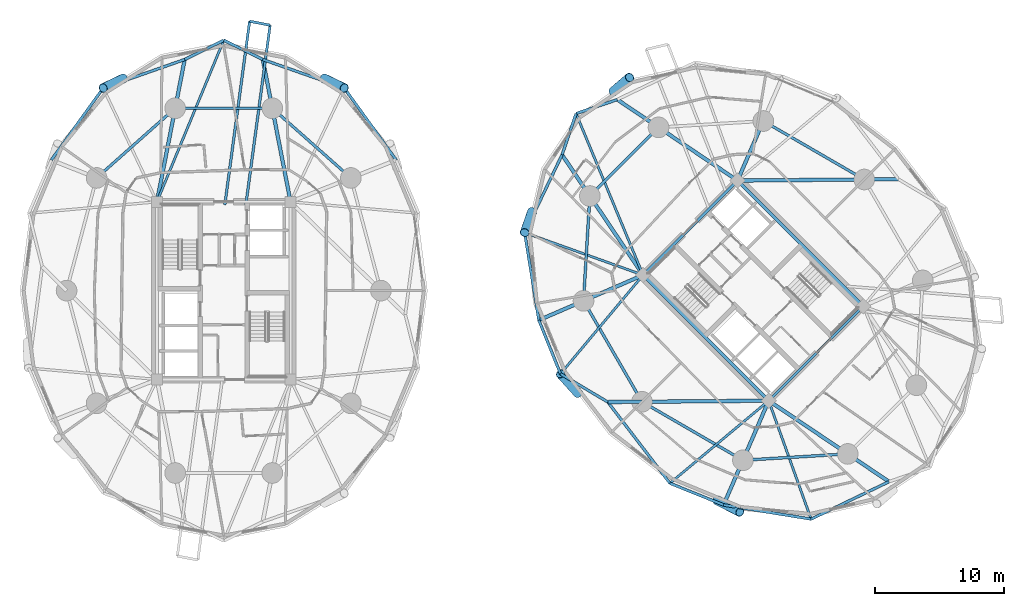
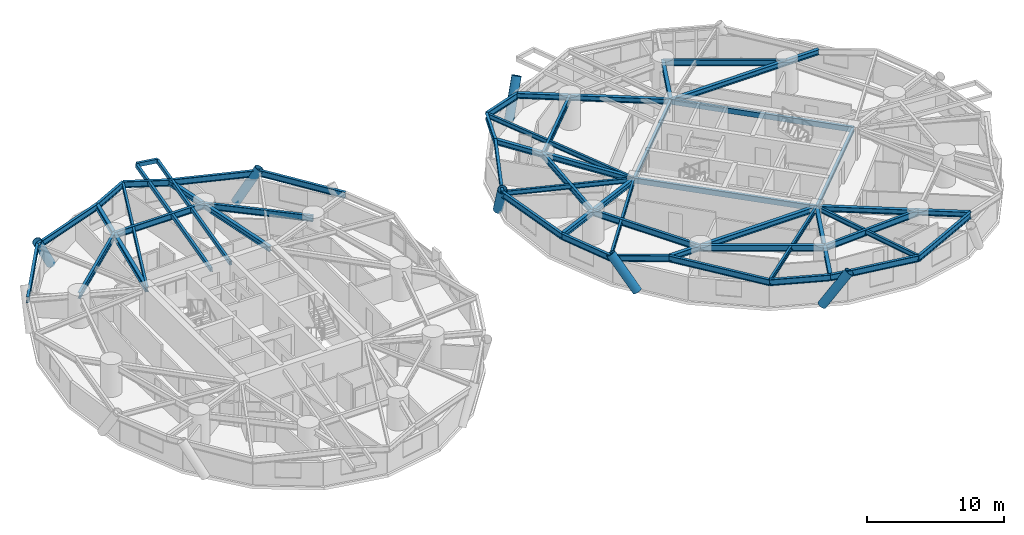
# One storey, part 5 of 18: 49 beams, 6 members.
"""IFC4 building model written with IfcOpenShell, lengths in metres."""

import ifcopenshell
import ifcopenshell.guid

model = None  # the IFC model being written
_history = None  # IfcOwnerHistory: only IFC2X3 demands one
_inside = {}  # id of a spatial element -> (the spatial element, [elements in it])
_under = {}  # id of a project, library or spatial element -> (it, [spatial elements below it])
_declared = {}  # id of a project -> (the project, [libraries it declares])
_typed = {}  # id of a type object -> (the type object, [elements of that type])
_made_of = {}  # id of a material, layer set ... -> (it, [elements and type objects made of it])


def new_model(schema):
    """Start an empty IFC model of exactly this schema.

    Asked for "IFC4X3", IfcOpenShell would pick the latest addendum, in which some entities
    have other attributes; the version numbers below select the first issue.
    IFC2X3 requires an IfcOwnerHistory on every rooted entity: one is made here for all.
    """
    global model, _history
    if schema == "IFC4X3":
        model = ifcopenshell.file(schema_version=(4, 3, 0, 0))
    else:
        model = ifcopenshell.file(schema=schema)
    _inside.clear()
    _under.clear()
    _declared.clear()
    _typed.clear()
    _made_of.clear()
    _history = None
    if model.schema == "IFC2X3":
        org = make("IfcOrganization", Name="unknown")
        user = make(
            "IfcPersonAndOrganization",
            ThePerson=make("IfcPerson", FamilyName="unknown"),
            TheOrganization=org,
        )
        app = make(
            "IfcApplication",
            ApplicationDeveloper=org,
            Version="unknown",
            ApplicationFullName="unknown",
            ApplicationIdentifier="unknown",
        )
        _history = make(
            "IfcOwnerHistory",
            OwningUser=user,
            OwningApplication=app,
            ChangeAction="ADDED",
            CreationDate=0,
        )
    return model


def make(cls, **values):
    """One entity of the class cls with the attributes given. An attribute that is None is left unset."""
    return model.create_entity(
        cls, **{name: value for name, value in values.items() if value is not None}
    )


def rooted(cls, **values):
    """An entity with a GlobalId (a new one), such as an element, a storey or a relation."""
    return make(cls, GlobalId=ifcopenshell.guid.new(), OwnerHistory=_history, **values)


def si_unit(unit_type, name, prefix=None):
    """IfcSIUnit, for example si_unit("LENGTHUNIT", "METRE", prefix="MILLI")."""
    return make("IfcSIUnit", UnitType=unit_type, Prefix=prefix, Name=name)


def assignment(units):
    """IfcUnitAssignment: the units of a project."""
    return None if units is None else make("IfcUnitAssignment", Units=units)


def point(xyz):
    """IfcCartesianPoint."""
    return None if xyz is None else make("IfcCartesianPoint", Coordinates=xyz)


def direction(xyz):
    """IfcDirection."""
    return None if xyz is None else make("IfcDirection", DirectionRatios=xyz)


def frame(location, z_axis=None, x_axis=None):
    """IfcAxis2Placement3D, a coordinate frame: its origin and axes. An axis left out is left unset."""
    return make(
        "IfcAxis2Placement3D",
        Location=point(location),
        Axis=direction(z_axis),
        RefDirection=direction(x_axis),
    )


def frame_2d(location, x_axis=None):
    """IfcAxis2Placement2D, a coordinate frame in the plane: its origin and x axis."""
    return make(
        "IfcAxis2Placement2D", Location=point(location), RefDirection=direction(x_axis)
    )


def origin():
    """The frame at (0, 0, 0) with its axes left unset."""
    return frame((0.0, 0.0, 0.0))


def origin_2d():
    """The frame at (0, 0) in the plane with its x axis left unset."""
    return frame_2d((0.0, 0.0))


def place(relative_to, where):
    """IfcLocalPlacement: puts the frame where relative to a parent placement (None: the world)."""
    return make(
        "IfcLocalPlacement", PlacementRelTo=relative_to, RelativePlacement=where
    )


def context(
    kind, dimensions, precision=None, world=None, true_north=None, identifier=None
):
    """IfcGeometricRepresentationContext, for example the 3D "Model" context."""
    return make(
        "IfcGeometricRepresentationContext",
        ContextIdentifier=identifier,
        ContextType=kind,
        CoordinateSpaceDimension=dimensions,
        Precision=precision,
        WorldCoordinateSystem=world,
        TrueNorth=true_north,
    )


def subcontext(parent, identifier, kind, view, scale=None):
    """IfcGeometricRepresentationSubContext, for example "Body" below "Model"."""
    return make(
        "IfcGeometricRepresentationSubContext",
        ContextIdentifier=identifier,
        ContextType=kind,
        ParentContext=parent,
        TargetScale=scale,
        TargetView=view,
    )


def project(units=None, contexts=None):
    """IfcProject with its units and contexts."""
    return rooted(
        "IfcProject",
        Name="project",
        RepresentationContexts=contexts,
        UnitsInContext=assignment(units),
    )


def spatial(cls, under=None, at=None, **own):
    """A site, building, storey or space (cls), placed at a placement, below another one or the project."""
    s = rooted(cls, ObjectPlacement=at, **own)
    if under is not None:
        _under.setdefault(under.id(), (under, []))[1].append(s)
    return s


def profile(cls, at=None, kind="AREA", **sizes):
    """A parametric profile (cls). Its sizes go by their IFC names, for example OverallWidth=200.0."""
    return make(cls, ProfileType=kind, Position=at, **sizes)


def hollow_rectangle(**sizes):
    """IfcRectangleHollowProfileDef."""
    return profile("IfcRectangleHollowProfileDef", **sizes)


def hollow_circle(**sizes):
    """IfcCircleHollowProfileDef."""
    return profile("IfcCircleHollowProfileDef", **sizes)


def i_section(**sizes):
    """IfcIShapeProfileDef."""
    return profile("IfcIShapeProfileDef", **sizes)


def extrude(swept, where, along, depth):
    """IfcExtrudedAreaSolid: the profile swept, set in the frame where, extruded along a direction by depth."""
    return make(
        "IfcExtrudedAreaSolid",
        SweptArea=swept,
        Position=where,
        ExtrudedDirection=direction(along),
        Depth=depth,
    )


def shape(context_of_items, identifier, shape_type, items):
    """IfcShapeRepresentation: the items that make up one representation, for example the "Body"."""
    return make(
        "IfcShapeRepresentation",
        ContextOfItems=context_of_items,
        RepresentationIdentifier=identifier,
        RepresentationType=shape_type,
        Items=items,
    )


def material(Name=None, Category=None):
    """IfcMaterial."""
    return make("IfcMaterial", Name=Name, Category=Category)


def material_profile(
    of_material, cross_section, Name=None, Category=None, Priority=None
):
    """IfcMaterialProfile: a cross section and its material."""
    return make(
        "IfcMaterialProfile",
        Name=Name,
        Material=of_material,
        Profile=cross_section,
        Priority=Priority,
        Category=Category,
    )


def profile_set(profiles, Name=None, composite=None):
    """IfcMaterialProfileSet."""
    return make(
        "IfcMaterialProfileSet",
        Name=Name,
        MaterialProfiles=profiles,
        CompositeProfile=composite,
    )


def made_of(thing, what):
    """Note that an element or type object is made of a material, layer set ...; save() writes the relation."""
    if what is not None:
        _made_of.setdefault(what.id(), (what, []))[1].append(thing)
    return thing


def type_object(cls, material=None, **own):
    """A type object (cls), such as IfcWallType, which elements share."""
    return made_of(rooted(cls, **own), material)


def element(
    cls,
    number,
    at=None,
    inside=None,
    cuts=None,
    type_object=None,
    material=None,
    context=None,
    identifier="Body",
    shape_type=None,
    held_by="IfcProductDefinitionShape",
    body=None,
    shapes=None,
    **own,
):
    """One element of the class cls, such as IfcWall. Its Tag is "e" and its number.

    at: its placement. inside: the storey or other place that contains it. cuts: it is an
    opening in that element (IfcRelVoidsElement). A single representation is given by context,
    identifier, shape_type and body (its items); several are given by shapes. held_by: the class
    of the entity that holds the representations. save() writes the other relations.
    """
    e = rooted(cls, Tag="e%d" % number, ObjectPlacement=at, **own)
    if body is not None:
        shapes = [shape(context, identifier, shape_type, body)]
    if shapes is not None:
        e.Representation = make(held_by, Representations=shapes)
    if inside is not None:
        _inside.setdefault(inside.id(), (inside, []))[1].append(e)
    if cuts is not None:
        rooted(
            "IfcRelVoidsElement", RelatingBuildingElement=cuts, RelatedOpeningElement=e
        )
    if type_object is not None:
        _typed.setdefault(type_object.id(), (type_object, []))[1].append(e)
    return made_of(e, material)


def aggregate(whole, parts):
    """IfcRelAggregates: a whole, such as a stair, and the parts it consists of."""
    return rooted("IfcRelAggregates", RelatingObject=whole, RelatedObjects=parts)


def save(model, path):
    """Write the relations noted so far, then the file.

    IfcRelAggregates (storeys below a building ...), IfcRelContainedInSpatialStructure (elements
    in a storey), IfcRelDefinesByType, IfcRelAssociatesMaterial and IfcRelDeclares: one each for
    every whole, place, type object, material and project.
    """
    for whole, parts in _under.values():
        aggregate(whole, parts)
    for where, things in _inside.values():
        rooted(
            "IfcRelContainedInSpatialStructure",
            RelatedElements=things,
            RelatingStructure=where,
        )
    for kind, things in _typed.values():
        rooted("IfcRelDefinesByType", RelatedObjects=things, RelatingType=kind)
    for what, things in _made_of.values():
        rooted("IfcRelAssociatesMaterial", RelatedObjects=things, RelatingMaterial=what)
    for by, libraries in _declared.values():
        rooted("IfcRelDeclares", RelatingContext=by, RelatedDefinitions=libraries)
    model.write(path)


model = new_model("IFC4")

# Units and contexts
model_context = context("Model", 3, precision=1e-05, world=origin(), true_north=direction((0.0, 1.0)))
body_context = subcontext(model_context, "Body", "Model", "MODEL_VIEW")
ifc_project = project(units=[si_unit("LENGTHUNIT", "METRE"), si_unit("AREAUNIT", "SQUARE_METRE"), si_unit("VOLUMEUNIT", "CUBIC_METRE"), si_unit("PLANEANGLEUNIT", "RADIAN"), si_unit("MASSUNIT", "GRAM", prefix="KILO")], contexts=[model_context])

# Site, building, storey
site_placement = place(None, origin())
site = spatial("IfcSite", under=ifc_project, at=site_placement, CompositionType="ELEMENT")
building_placement = place(site_placement, origin())
building = spatial("IfcBuilding", under=site, at=building_placement, Name="Cununo Teusaquillo Station Towers", CompositionType="ELEMENT")
storey_placement = place(building_placement, frame((0.0, 0.0, 45.280029296875)))
storey = spatial("IfcBuildingStorey", under=building, at=storey_placement, Name="L13", CompositionType="ELEMENT", Elevation=45.280029296875)

# Beams
ifc_material_1 = material(Name="Steel EN 10025-2 S355J2", Category="steel")
ifc_material_profile_1 = material_profile(ifc_material_1, hollow_rectangle(XDim=0.199951171875, YDim=0.35009765625, WallThickness=0.013916015625, at=origin_2d()), Name="RHS 350x200x14")
ifc_profile_set_1 = profile_set([ifc_material_profile_1], Name="Steel EN 10025-2 S355J2")
beam_type_1 = type_object("IfcBeamType", Name="BM-BAL-CANT", PredefinedType="BEAM", material=ifc_profile_set_1)
beam_1_placement = place(storey_placement, frame((18.21240234375, 31.14990234375, 2.474853515625), z_axis=(0.133936830088, 0.990989871566, 0.0), x_axis=(-0.990989871566, 0.133936830088, 0.0)))
element("IfcBeam", 1, at=beam_1_placement, inside=storey, type_object=beam_type_1, Name="L13 Tower A Balcony Cantilever Bracket 1A", PredefinedType="BEAM", context=body_context, shape_type="SweptSolid", body=[
    extrude(hollow_rectangle(XDim=0.199951171875, YDim=0.35009765625, WallThickness=0.013916015625, at=origin_2d()), origin(), (0.0, 0.0, 1.0), 14.031982421875),
])
beam_2_placement = place(storey_placement, frame((16.584716796875, 31.14990234375, 2.474853515625), z_axis=(0.133924221821, 0.990991575549, 0.0), x_axis=(-0.990991575549, 0.133924221821, 0.0)))
element("IfcBeam", 2, at=beam_2_placement, inside=storey, type_object=beam_type_1, Name="L13 Tower A Balcony Cantilever Bracket 1B", PredefinedType="BEAM", context=body_context, shape_type="SweptSolid", body=[
    extrude(hollow_rectangle(XDim=0.199951171875, YDim=0.35009765625, WallThickness=0.013916015625, at=origin_2d()), origin(), (0.0, 0.0, 1.0), 14.34130859375),
])
ifc_material_2 = material(Name="Steel EN 10025-2 S355J2", Category="steel")
ifc_material_profile_2 = material_profile(ifc_material_2, hollow_rectangle(XDim=0.25, YDim=0.449951171875, WallThickness=0.01611328125, at=origin_2d()), Name="RHS 450x250x16")
ifc_profile_set_2 = profile_set([ifc_material_profile_2], Name="Steel EN 10025-2 S355J2")
beam_type_2 = type_object("IfcBeamType", Name="BM-COUP-1", PredefinedType="USERDEFINED", material=ifc_profile_set_2)
for number, where, z_axis, x_axis, name in (
    (3, (58.70556640625, 15.975830078125, 2.425048828125), (-0.707106781187, 0.707106781187, 0.0), (-0.707106781187, -0.707106781187, 0.0), "L13 Tower B Core Beam 1"),
    (4, (66.024169921875, 23.29443359375, 2.425048828125), (-0.707106781187, 0.707106781187, 0.0), (-0.707106781187, -0.707106781187, 0.0), "L13 Tower B Core Beam 2"),
):
    element("IfcBeam", number, at=place(storey_placement, frame(where, z_axis=z_axis, x_axis=x_axis)), inside=storey, type_object=beam_type_2, Name=name, ObjectType="COUPLING BEAM", PredefinedType="USERDEFINED", context=body_context, shape_type="SweptSolid", body=[
        extrude(hollow_rectangle(XDim=0.25, YDim=0.449951171875, WallThickness=0.01611328125, at=origin_2d()), origin(), (0.0, 0.0, 1.0), 13.760009765625),
    ])
ifc_material_3 = material(Name="Steel ASTM A572 Grade 50", Category="steel")
ifc_material_profile_3 = material_profile(ifc_material_3, i_section(OverallWidth=0.180908203125, OverallDepth=0.4169921875, WebThickness=0.010986328125, FlangeThickness=0.018310546875, FilletRadius=0.012939453125, at=origin_2d()), Name="W16X57")
ifc_profile_set_3 = profile_set([ifc_material_profile_3], Name="Steel ASTM A572 Grade 50")
beam_type_3 = type_object("IfcBeamType", Name="BM-JOIST-1", PredefinedType="JOIST", material=ifc_profile_set_3)
for number, where, z_axis, x_axis, name in (
    (5, (11.324951171875, 31.3798828125, 2.44140625), (0.382256753081, 0.924056153447, 0.0), (-0.924056153447, 0.382256753081, 0.0), "L13 Tower A Radial Spandrel Joist V05"),
    (6, (48.975830078125, 25.70556640625, 2.44140625), (-0.383107724927, 0.923703670612, 0.0), (-0.923703670612, -0.383107724927, 0.0), "L13 Tower B Radial Spandrel Joist V05"),
):
    element("IfcBeam", number, at=place(storey_placement, frame(where, z_axis=z_axis, x_axis=x_axis)), inside=storey, type_object=beam_type_3, Name=name, PredefinedType="JOIST", context=body_context, shape_type="SweptSolid", body=[
        extrude(i_section(OverallWidth=0.180908203125, OverallDepth=0.4169921875, WebThickness=0.010986328125, FlangeThickness=0.018310546875, FilletRadius=0.012939453125, at=origin_2d()), origin(), (0.0, 0.0, 1.0), 13.5380859375),
    ])
beam_3_placement = place(storey_placement, frame((48.975830078125, 25.70556640625, 2.44140625), z_axis=(-0.941404588136, 0.337279411522, 0.0), x_axis=(-0.337279411522, -0.941404588136, 0.0)))
element("IfcBeam", 7, at=beam_3_placement, inside=storey, type_object=beam_type_3, Name="L13 Tower B Radial Spandrel Joist V07", PredefinedType="JOIST", context=body_context, shape_type="SweptSolid", body=[
    extrude(i_section(OverallWidth=0.180908203125, OverallDepth=0.4169921875, WebThickness=0.010986328125, FlangeThickness=0.018310546875, FilletRadius=0.012939453125, at=origin_2d()), origin(), (0.0, 0.0, 1.0), 9.740234375),
])
for number, where, z_axis, x_axis, name in (
    (8, (48.975830078125, 25.70556640625, 2.44140625), (-0.641315728701, -0.767277092139, 0.0), (0.767277092139, -0.641315728701, 0.0), "L13 Tower B Radial Spandrel Joist V09"),
    (9, (58.70556640625, 15.975830078125, 2.44140625), (-0.767277092139, -0.641315728701, 0.0), (0.641315728701, -0.767277092139, 0.0), "L13 Tower B Radial Spandrel Joist V11"),
):
    element("IfcBeam", number, at=place(storey_placement, frame(where, z_axis=z_axis, x_axis=x_axis)), inside=storey, type_object=beam_type_3, Name=name, PredefinedType="JOIST", context=body_context, shape_type="SweptSolid", body=[
        extrude(i_section(OverallWidth=0.180908203125, OverallDepth=0.4169921875, WebThickness=0.010986328125, FlangeThickness=0.018310546875, FilletRadius=0.012939453125, at=origin_2d()), origin(), (0.0, 0.0, 1.0), 9.97021484375),
    ])
beam_4_placement = place(storey_placement, frame((58.70556640625, 15.975830078125, 2.44140625), z_axis=(0.337279411522, -0.941404588136, 0.0), x_axis=(0.941404588136, 0.337279411522, 0.0)))
element("IfcBeam", 10, at=beam_4_placement, inside=storey, type_object=beam_type_3, Name="L13 Tower B Radial Spandrel Joist V13", PredefinedType="JOIST", context=body_context, shape_type="SweptSolid", body=[
    extrude(i_section(OverallWidth=0.180908203125, OverallDepth=0.4169921875, WebThickness=0.010986328125, FlangeThickness=0.018310546875, FilletRadius=0.012939453125, at=origin_2d()), origin(), (0.0, 0.0, 1.0), 9.740234375),
])
ifc_material_4 = material(Name="Steel ASTM A572 Grade 50", Category="steel")
ifc_material_profile_4 = material_profile(ifc_material_4, i_section(OverallWidth=0.2041015625, OverallDepth=0.35009765625, WebThickness=0.008544921875, FlangeThickness=0.01513671875, FilletRadius=0.011962890625, at=origin_2d()), Name="W14X48")
ifc_profile_set_4 = profile_set([ifc_material_profile_4], Name="Steel ASTM A572 Grade 50")
beam_type_4 = type_object("IfcBeamType", Name="BM-LINTEL-1", PredefinedType="LINTEL", material=ifc_profile_set_4)
for number, where, z_axis, x_axis, name in (
    (11, (58.70556640625, 15.975830078125, 2.474853515625), (0.707106781187, 0.707106781187, 0.0), (-0.707106781187, 0.707106781187, 0.0), "L13 Tower B Core Beam 3"),
    (12, (48.975830078125, 25.70556640625, 2.474853515625), (0.707106781187, 0.707106781187, 0.0), (-0.707106781187, 0.707106781187, 0.0), "L13 Tower B Core Beam 4"),
):
    element("IfcBeam", number, at=place(storey_placement, frame(where, z_axis=z_axis, x_axis=x_axis)), inside=storey, type_object=beam_type_4, Name=name, PredefinedType="LINTEL", context=body_context, shape_type="SweptSolid", body=[
        extrude(i_section(OverallWidth=0.2041015625, OverallDepth=0.35009765625, WebThickness=0.008544921875, FlangeThickness=0.01513671875, FilletRadius=0.011962890625, at=origin_2d()), origin(), (0.0, 0.0, 1.0), 10.35009765625),
    ])
ifc_material_5 = material(Name="Steel ASTM A572 Grade 50", Category="steel")
ifc_material_profile_5 = material_profile(ifc_material_5, i_section(OverallWidth=0.280029296875, OverallDepth=0.462890625, WebThickness=0.0107421875, FlangeThickness=0.017333984375, FilletRadius=0.013916015625, at=origin_2d()), Name="W18X76")
ifc_profile_set_5 = profile_set([ifc_material_profile_5], Name="Steel ASTM A572 Grade 50")
beam_type_5 = type_object("IfcBeamType", Name="BM-RAD-G1", PredefinedType="BEAM", material=ifc_profile_set_5)
for number, where, z_axis, x_axis, name in (
    (13, (21.675048828125, 31.3798828125, 2.41845703125), (-0.191552755713, 0.981482318628, 0.0), (-0.981482318628, -0.191552755713, 0.0), "L13 Tower A Continuous Overhanging Radial Girder 03"),
    (14, (11.324951171875, 31.3798828125, 2.41845703125), (0.191552755713, 0.981482318628, 0.0), (-0.981482318628, 0.191552755713, 0.0), "L13 Tower A Continuous Overhanging Radial Girder 04"),
):
    element("IfcBeam", number, at=place(storey_placement, frame(where, z_axis=z_axis, x_axis=x_axis)), inside=storey, type_object=beam_type_5, Name=name, PredefinedType="BEAM", context=body_context, shape_type="SweptSolid", body=[
        extrude(i_section(OverallWidth=0.280029296875, OverallDepth=0.462890625, WebThickness=0.0107421875, FlangeThickness=0.017333984375, FilletRadius=0.013916015625, at=origin_2d()), origin(), (0.0, 0.0, 1.0), 11.22998046875),
    ])
beam_5_placement = place(storey_placement, frame((56.29443359375, 33.024169921875, 2.41845703125), z_axis=(0.999964334348, 0.008445710917, 0.0), x_axis=(-0.008445710917, 0.999964334348, 0.0)))
element("IfcBeam", 15, at=beam_5_placement, inside=storey, type_object=beam_type_5, Name="L13 Tower B Continuous Overhanging Radial Girder 01", PredefinedType="BEAM", context=body_context, shape_type="SweptSolid", body=[
    extrude(i_section(OverallWidth=0.280029296875, OverallDepth=0.462890625, WebThickness=0.0107421875, FlangeThickness=0.017333984375, FilletRadius=0.013916015625, at=origin_2d()), origin(), (0.0, 0.0, 1.0), 12.458984375),
])
beam_6_placement = place(storey_placement, frame((56.29443359375, 33.024169921875, 2.41845703125), z_axis=(0.397346986387, 0.917668443616, 0.0), x_axis=(-0.917668443616, 0.397346986387, 0.0)))
element("IfcBeam", 16, at=beam_6_placement, inside=storey, type_object=beam_type_5, Name="L13 Tower B Radial Girder 02A", PredefinedType="BEAM", context=body_context, shape_type="SweptSolid", body=[
    extrude(i_section(OverallWidth=0.280029296875, OverallDepth=0.462890625, WebThickness=0.0107421875, FlangeThickness=0.017333984375, FilletRadius=0.013916015625, at=origin_2d()), origin(), (0.0, 0.0, 1.0), 5.02490234375),
])
for number, where, z_axis, x_axis, name in (
    (17, (56.29443359375, 33.024169921875, 2.41845703125), (-0.82945583878, 0.558572297481, 0.0), (-0.558572297481, -0.82945583878, 0.0), "L13 Tower B Continuous Overhanging Radial Girder 03"),
    (18, (48.975830078125, 25.70556640625, 2.41845703125), (-0.558572297481, 0.82945583878, 0.0), (-0.82945583878, -0.558572297481, 0.0), "L13 Tower B Continuous Overhanging Radial Girder 04"),
):
    element("IfcBeam", number, at=place(storey_placement, frame(where, z_axis=z_axis, x_axis=x_axis)), inside=storey, type_object=beam_type_5, Name=name, PredefinedType="BEAM", context=body_context, shape_type="SweptSolid", body=[
        extrude(i_section(OverallWidth=0.280029296875, OverallDepth=0.462890625, WebThickness=0.0107421875, FlangeThickness=0.017333984375, FilletRadius=0.013916015625, at=origin_2d()), origin(), (0.0, 0.0, 1.0), 11.22998046875),
    ])
beam_7_placement = place(storey_placement, frame((48.975830078125, 25.70556640625, 2.41845703125), z_axis=(-0.917660203996, -0.397366015157, 0.0), x_axis=(0.397366015157, -0.917660203996, 0.0)))
element("IfcBeam", 19, at=beam_7_placement, inside=storey, type_object=beam_type_5, Name="L13 Tower B Continuous Overhanging Radial Girder 05", PredefinedType="BEAM", context=body_context, shape_type="SweptSolid", body=[
    extrude(i_section(OverallWidth=0.280029296875, OverallDepth=0.462890625, WebThickness=0.0107421875, FlangeThickness=0.017333984375, FilletRadius=0.013916015625, at=origin_2d()), origin(), (0.0, 0.0, 1.0), 8.798095703125),
])
beam_8_placement = place(storey_placement, frame((58.70556640625, 15.975830078125, 2.41845703125), z_axis=(-0.999964431382, -0.008434214327, 0.0), x_axis=(0.008434214327, -0.999964431382, 0.0)))
element("IfcBeam", 20, at=beam_8_placement, inside=storey, type_object=beam_type_5, Name="L13 Tower B Radial Girder 06A", PredefinedType="BEAM", context=body_context, shape_type="SweptSolid", body=[
    extrude(i_section(OverallWidth=0.280029296875, OverallDepth=0.462890625, WebThickness=0.0107421875, FlangeThickness=0.017333984375, FilletRadius=0.013916015625, at=origin_2d()), origin(), (0.0, 0.0, 1.0), 9.812744140625),
])
beam_9_placement = place(storey_placement, frame((48.89306640625, 15.89306640625, 2.41845703125), z_axis=(-0.999963973349, -0.008488345225, 0.0), x_axis=(0.008488345225, -0.999963973349, 0.0)))
element("IfcBeam", 21, at=beam_9_placement, inside=storey, type_object=beam_type_5, Name="L13 Tower B Perimeter Overhang Girder 06B", PredefinedType="BEAM", context=body_context, shape_type="SweptSolid", body=[
    extrude(i_section(OverallWidth=0.280029296875, OverallDepth=0.462890625, WebThickness=0.0107421875, FlangeThickness=0.017333984375, FilletRadius=0.013916015625, at=origin_2d()), origin(), (0.0, 0.0, 1.0), 2.64599609375),
])
beam_10_placement = place(storey_placement, frame((58.70556640625, 15.975830078125, 2.41845703125), z_axis=(-0.397366015157, -0.917660203996, 0.0), x_axis=(0.917660203996, -0.397366015157, 0.0)))
element("IfcBeam", 22, at=beam_10_placement, inside=storey, type_object=beam_type_5, Name="L13 Tower B Continuous Overhanging Radial Girder 07", PredefinedType="BEAM", context=body_context, shape_type="SweptSolid", body=[
    extrude(i_section(OverallWidth=0.280029296875, OverallDepth=0.462890625, WebThickness=0.0107421875, FlangeThickness=0.017333984375, FilletRadius=0.013916015625, at=origin_2d()), origin(), (0.0, 0.0, 1.0), 8.798095703125),
])
beam_11_placement = place(storey_placement, frame((58.70556640625, 15.975830078125, 2.41845703125), z_axis=(0.82945583878, -0.558572297481, 0.0), x_axis=(0.558572297481, 0.82945583878, 0.0)))
element("IfcBeam", 23, at=beam_11_placement, inside=storey, type_object=beam_type_5, Name="L13 Tower B Continuous Overhanging Radial Girder 08", PredefinedType="BEAM", context=body_context, shape_type="SweptSolid", body=[
    extrude(i_section(OverallWidth=0.280029296875, OverallDepth=0.462890625, WebThickness=0.0107421875, FlangeThickness=0.017333984375, FilletRadius=0.013916015625, at=origin_2d()), origin(), (0.0, 0.0, 1.0), 11.22998046875),
])
ifc_material_6 = material(Name="Steel ASTM A572 Grade 50", Category="steel")
ifc_material_profile_6 = material_profile(ifc_material_6, i_section(OverallWidth=0.214111328125, OverallDepth=0.549072265625, WebThickness=0.0146484375, FlangeThickness=0.023681640625, FilletRadius=0.014892578125, at=origin_2d()), Name="W21X93")
ifc_profile_set_6 = profile_set([ifc_material_profile_6], Name="Steel ASTM A572 Grade 50")
beam_type_6 = type_object("IfcBeamType", Name="BM-RING-Z1", PredefinedType="SPANDREL", material=ifc_profile_set_6)
beam_12_placement = place(storey_placement, frame((26.347412109375, 33.228515625, 2.37548828125), z_axis=(-0.74832120039, 0.66333655187, 0.0), x_axis=(-0.66333655187, -0.74832120039, 0.0)))
element("IfcBeam", 24, at=beam_12_placement, inside=storey, type_object=beam_type_6, Name="L13 Tower A Structural Column Ring Girder 02", PredefinedType="SPANDREL", context=body_context, shape_type="SweptSolid", body=[
    extrude(i_section(OverallWidth=0.214111328125, OverallDepth=0.549072265625, WebThickness=0.0146484375, FlangeThickness=0.023681640625, FilletRadius=0.014892578125, at=origin_2d()), origin(), (0.0, 0.0, 1.0), 8.1328125),
])
beam_13_placement = place(storey_placement, frame((20.261474609375, 38.623291015625, 2.37548828125), z_axis=(-1.0, 0.0, 0.0), x_axis=(0.0, -1.0, 0.0)))
element("IfcBeam", 25, at=beam_13_placement, inside=storey, type_object=beam_type_6, Name="L13 Tower A Structural Column Ring Girder 03", PredefinedType="SPANDREL", context=body_context, shape_type="SweptSolid", body=[
    extrude(i_section(OverallWidth=0.214111328125, OverallDepth=0.549072265625, WebThickness=0.0146484375, FlangeThickness=0.023681640625, FilletRadius=0.014892578125, at=origin_2d()), origin(), (0.0, 0.0, 1.0), 7.52294921875),
])
beam_14_placement = place(storey_placement, frame((12.738525390625, 38.623291015625, 2.37548828125), z_axis=(-0.74832120039, -0.66333655187, 0.0), x_axis=(0.66333655187, -0.74832120039, 0.0)))
element("IfcBeam", 26, at=beam_14_placement, inside=storey, type_object=beam_type_6, Name="L13 Tower A Structural Column Ring Girder 04", PredefinedType="SPANDREL", context=body_context, shape_type="SweptSolid", body=[
    extrude(i_section(OverallWidth=0.214111328125, OverallDepth=0.549072265625, WebThickness=0.0146484375, FlangeThickness=0.023681640625, FilletRadius=0.014892578125, at=origin_2d()), origin(), (0.0, 0.0, 1.0), 8.1328125),
])
beam_15_placement = place(storey_placement, frame((29.856201171875, 34.61669921875, 2.37548828125), z_axis=(-0.585268642749, 0.810839451319, 0.0), x_axis=(-0.810839451319, -0.585268642749, 0.0)))
element("IfcBeam", 27, at=beam_15_placement, inside=storey, type_object=beam_type_6, Name="L13 Tower A Spandrel Ring Beam 03", PredefinedType="SPANDREL", context=body_context, shape_type="SweptSolid", body=[
    extrude(i_section(OverallWidth=0.214111328125, OverallDepth=0.549072265625, WebThickness=0.0146484375, FlangeThickness=0.023681640625, FilletRadius=0.014892578125, at=origin_2d()), origin(), (0.0, 0.0, 1.0), 6.86962890625),
])
beam_16_placement = place(storey_placement, frame((25.835693359375, 40.186767578125, 2.37548828125), z_axis=(-0.943579776012, 0.33114529485, 0.0), x_axis=(-0.33114529485, -0.943579776012, 0.0)))
element("IfcBeam", 28, at=beam_16_placement, inside=storey, type_object=beam_type_6, Name="L13 Tower A Spandrel Ring Beam 04", PredefinedType="SPANDREL", context=body_context, shape_type="SweptSolid", body=[
    extrude(i_section(OverallWidth=0.214111328125, OverallDepth=0.549072265625, WebThickness=0.0146484375, FlangeThickness=0.023681640625, FilletRadius=0.014892578125, at=origin_2d()), origin(), (0.0, 0.0, 1.0), 6.689208984375),
])
for number, where, z_axis, x_axis, name in (
    (29, (19.52392578125, 42.40185546875, 2.37548828125), (-0.8972488299, 0.441525239645, 0.0), (-0.441525239645, -0.8972488299, 0.0), "L13 Tower A Spandrel Ring Beam 05"),
    (30, (16.5, 43.889892578125, 2.37548828125), (-0.8972488299, -0.441525239645, 0.0), (0.441525239645, -0.8972488299, 0.0), "L13 Tower A Spandrel Ring Beam 06"),
):
    element("IfcBeam", number, at=place(storey_placement, frame(where, z_axis=z_axis, x_axis=x_axis)), inside=storey, type_object=beam_type_6, Name=name, PredefinedType="SPANDREL", context=body_context, shape_type="SweptSolid", body=[
        extrude(i_section(OverallWidth=0.214111328125, OverallDepth=0.549072265625, WebThickness=0.0146484375, FlangeThickness=0.023681640625, FilletRadius=0.014892578125, at=origin_2d()), origin(), (0.0, 0.0, 1.0), 3.3701171875),
    ])
beam_17_placement = place(storey_placement, frame((13.47607421875, 42.40185546875, 2.37548828125), z_axis=(-0.943579776012, -0.33114529485, 0.0), x_axis=(0.33114529485, -0.943579776012, 0.0)))
element("IfcBeam", 31, at=beam_17_placement, inside=storey, type_object=beam_type_6, Name="L13 Tower A Spandrel Ring Beam 07", PredefinedType="SPANDREL", context=body_context, shape_type="SweptSolid", body=[
    extrude(i_section(OverallWidth=0.214111328125, OverallDepth=0.549072265625, WebThickness=0.0146484375, FlangeThickness=0.023681640625, FilletRadius=0.014892578125, at=origin_2d()), origin(), (0.0, 0.0, 1.0), 6.689208984375),
])
beam_18_placement = place(storey_placement, frame((7.164306640625, 40.186767578125, 2.37548828125), z_axis=(-0.585268642749, -0.810839451319, 0.0), x_axis=(0.810839451319, -0.585268642749, 0.0)))
element("IfcBeam", 32, at=beam_18_placement, inside=storey, type_object=beam_type_6, Name="L13 Tower A Spandrel Ring Beam 08", PredefinedType="SPANDREL", context=body_context, shape_type="SweptSolid", body=[
    extrude(i_section(OverallWidth=0.214111328125, OverallDepth=0.549072265625, WebThickness=0.0146484375, FlangeThickness=0.023681640625, FilletRadius=0.014892578125, at=origin_2d()), origin(), (0.0, 0.0, 1.0), 6.86962890625),
])
beam_19_placement = place(storey_placement, frame((66.10693359375, 33.10693359375, 2.37548828125), z_axis=(-0.865267103202, 0.501311121078, 0.0), x_axis=(-0.501311121078, -0.865267103202, 0.0)))
element("IfcBeam", 33, at=beam_19_placement, inside=storey, type_object=beam_type_6, Name="L13 Tower B Structural Column Ring Girder 01", PredefinedType="SPANDREL", context=body_context, shape_type="SweptSolid", body=[
    extrude(i_section(OverallWidth=0.214111328125, OverallDepth=0.549072265625, WebThickness=0.0146484375, FlangeThickness=0.023681640625, FilletRadius=0.014892578125, at=origin_2d()), origin(), (0.0, 0.0, 1.0), 9.032958984375),
])
beam_20_placement = place(storey_placement, frame((50.173095703125, 37.146240234375, 2.37548828125), z_axis=(-0.707106781187, -0.707106781187, 0.0), x_axis=(0.707106781187, -0.707106781187, 0.0)))
element("IfcBeam", 34, at=beam_20_placement, inside=storey, type_object=beam_type_6, Name="L13 Tower B Structural Column Ring Girder 03", PredefinedType="SPANDREL", context=body_context, shape_type="SweptSolid", body=[
    extrude(i_section(OverallWidth=0.214111328125, OverallDepth=0.549072265625, WebThickness=0.0146484375, FlangeThickness=0.023681640625, FilletRadius=0.014892578125, at=origin_2d()), origin(), (0.0, 0.0, 1.0), 7.522705078125),
])
beam_21_placement = place(storey_placement, frame((44.853759765625, 31.826904296875, 2.37548828125), z_axis=(-0.06012979176, -0.998190567048, 0.0), x_axis=(0.998190567048, -0.06012979176, 0.0)))
element("IfcBeam", 35, at=beam_21_placement, inside=storey, type_object=beam_type_6, Name="L13 Tower B Structural Column Ring Girder 04", PredefinedType="SPANDREL", context=body_context, shape_type="SweptSolid", body=[
    extrude(i_section(OverallWidth=0.214111328125, OverallDepth=0.549072265625, WebThickness=0.0146484375, FlangeThickness=0.023681640625, FilletRadius=0.014892578125, at=origin_2d()), origin(), (0.0, 0.0, 1.0), 8.132568359375),
])
for number, where, z_axis, x_axis, name in (
    (36, (44.36474609375, 23.708984375, 2.37548828125), (0.501311121078, -0.865267103202, 0.0), (0.865267103202, 0.501311121078, 0.0), "L13 Tower B Structural Column Ring Girder 05"),
    (37, (48.89306640625, 15.89306640625, 2.37548828125), (0.865267103202, -0.501311121078, 0.0), (0.501311121078, 0.865267103202, 0.0), "L13 Tower B Structural Column Ring Girder 06"),
):
    element("IfcBeam", number, at=place(storey_placement, frame(where, z_axis=z_axis, x_axis=x_axis)), inside=storey, type_object=beam_type_6, Name=name, PredefinedType="SPANDREL", context=body_context, shape_type="SweptSolid", body=[
        extrude(i_section(OverallWidth=0.214111328125, OverallDepth=0.549072265625, WebThickness=0.0146484375, FlangeThickness=0.023681640625, FilletRadius=0.014892578125, at=origin_2d()), origin(), (0.0, 0.0, 1.0), 9.032958984375),
    ])
beam_22_placement = place(storey_placement, frame((56.708984375, 11.36474609375, 2.37548828125), z_axis=(0.998190567048, 0.06012979176, 0.0), x_axis=(-0.06012979176, 0.998190567048, 0.0)))
element("IfcBeam", 38, at=beam_22_placement, inside=storey, type_object=beam_type_6, Name="L13 Tower B Structural Column Ring Girder 07", PredefinedType="SPANDREL", context=body_context, shape_type="SweptSolid", body=[
    extrude(i_section(OverallWidth=0.214111328125, OverallDepth=0.549072265625, WebThickness=0.0146484375, FlangeThickness=0.023681640625, FilletRadius=0.014892578125, at=origin_2d()), origin(), (0.0, 0.0, 1.0), 8.132568359375),
])
for number, where, z_axis, x_axis, name in (
    (39, (46.979736328125, 39.296875, 2.37548828125), (-0.946642852865, -0.322284515794, 0.0), (0.322284515794, -0.946642852865, 0.0), "L13 Tower B Spandrel Ring Beam 05"),
    (40, (43.789306640625, 38.210693359375, 2.37548828125), (-0.322284515794, -0.946642852865, 0.0), (0.946642852865, -0.322284515794, 0.0), "L13 Tower B Spandrel Ring Beam 06"),
):
    element("IfcBeam", number, at=place(storey_placement, frame(where, z_axis=z_axis, x_axis=x_axis)), inside=storey, type_object=beam_type_6, Name=name, PredefinedType="SPANDREL", context=body_context, shape_type="SweptSolid", body=[
        extrude(i_section(OverallWidth=0.214111328125, OverallDepth=0.549072265625, WebThickness=0.0146484375, FlangeThickness=0.023681640625, FilletRadius=0.014892578125, at=origin_2d()), origin(), (0.0, 0.0, 1.0), 3.370361328125),
    ])
beam_23_placement = place(storey_placement, frame((42.703125, 35.020263671875, 2.37548828125), z_axis=(-0.433040723491, -0.901374357189, 0.0), x_axis=(0.901374357189, -0.433040723491, 0.0)))
element("IfcBeam", 41, at=beam_23_placement, inside=storey, type_object=beam_type_6, Name="L13 Tower B Spandrel Ring Beam 07", PredefinedType="SPANDREL", context=body_context, shape_type="SweptSolid", body=[
    extrude(i_section(OverallWidth=0.214111328125, OverallDepth=0.549072265625, WebThickness=0.0146484375, FlangeThickness=0.023681640625, FilletRadius=0.014892578125, at=origin_2d()), origin(), (0.0, 0.0, 1.0), 6.689208984375),
])
beam_24_placement = place(storey_placement, frame((39.806396484375, 28.99072265625, 2.37548828125), z_axis=(0.15950955411, -0.987196384793, 0.0), x_axis=(0.987196384793, 0.15950955411, 0.0)))
element("IfcBeam", 42, at=beam_24_placement, inside=storey, type_object=beam_type_6, Name="L13 Tower B Spandrel Ring Beam 08", PredefinedType="SPANDREL", context=body_context, shape_type="SweptSolid", body=[
    extrude(i_section(OverallWidth=0.214111328125, OverallDepth=0.549072265625, WebThickness=0.0146484375, FlangeThickness=0.023681640625, FilletRadius=0.014892578125, at=origin_2d()), origin(), (0.0, 0.0, 1.0), 6.869140625),
])
beam_25_placement = place(storey_placement, frame((40.902099609375, 22.20947265625, 2.37548828125), z_axis=(0.374882843411, -0.927072194447, 0.0), x_axis=(0.927072194447, 0.374882843411, 0.0)))
element("IfcBeam", 43, at=beam_25_placement, inside=storey, type_object=beam_type_6, Name="L13 Tower B Spandrel Ring Beam 09", PredefinedType="SPANDREL", context=body_context, shape_type="SweptSolid", body=[
    extrude(i_section(OverallWidth=0.214111328125, OverallDepth=0.549072265625, WebThickness=0.0146484375, FlangeThickness=0.023681640625, FilletRadius=0.014892578125, at=origin_2d()), origin(), (0.0, 0.0, 1.0), 4.48046875),
])
beam_26_placement = place(storey_placement, frame((42.581787109375, 18.0556640625, 2.37548828125), z_axis=(0.858948426011, -0.512062107027, 0.0), x_axis=(0.512062107027, 0.858948426011, 0.0)))
element("IfcBeam", 44, at=beam_26_placement, inside=storey, type_object=beam_type_6, Name="L13 Tower B Spandrel Ring Beam 10", PredefinedType="SPANDREL", context=body_context, shape_type="SweptSolid", body=[
    extrude(i_section(OverallWidth=0.214111328125, OverallDepth=0.549072265625, WebThickness=0.0146484375, FlangeThickness=0.023681640625, FilletRadius=0.014892578125, at=origin_2d()), origin(), (0.0, 0.0, 1.0), 4.26708984375),
])
beam_27_placement = place(storey_placement, frame((46.2470703125, 15.87060546875, 2.37548828125), z_axis=(0.607410042696, -0.794388469222, 0.0), x_axis=(0.794388469222, 0.607410042696, 0.0)))
element("IfcBeam", 45, at=beam_27_placement, inside=storey, type_object=beam_type_6, Name="L13 Tower B Spandrel Ring Beam 11", PredefinedType="SPANDREL", context=body_context, shape_type="SweptSolid", body=[
    extrude(i_section(OverallWidth=0.214111328125, OverallDepth=0.549072265625, WebThickness=0.0146484375, FlangeThickness=0.023681640625, FilletRadius=0.014892578125, at=origin_2d()), origin(), (0.0, 0.0, 1.0), 7.91650390625),
])
beam_28_placement = place(storey_placement, frame((51.0556640625, 9.581787109375, 2.37548828125), z_axis=(0.927072194447, -0.374882843411, 0.0), x_axis=(0.374882843411, 0.927072194447, 0.0)))
element("IfcBeam", 46, at=beam_28_placement, inside=storey, type_object=beam_type_6, Name="L13 Tower B Spandrel Ring Beam 12", PredefinedType="SPANDREL", context=body_context, shape_type="SweptSolid", body=[
    extrude(i_section(OverallWidth=0.214111328125, OverallDepth=0.549072265625, WebThickness=0.0146484375, FlangeThickness=0.023681640625, FilletRadius=0.014892578125, at=origin_2d()), origin(), (0.0, 0.0, 1.0), 4.48046875),
])
beam_29_placement = place(storey_placement, frame((55.20947265625, 7.902099609375, 2.37548828125), z_axis=(0.987196384793, -0.15950955411, 0.0), x_axis=(0.15950955411, 0.987196384793, 0.0)))
element("IfcBeam", 47, at=beam_29_placement, inside=storey, type_object=beam_type_6, Name="L13 Tower B Spandrel Ring Beam 13", PredefinedType="SPANDREL", context=body_context, shape_type="SweptSolid", body=[
    extrude(i_section(OverallWidth=0.214111328125, OverallDepth=0.549072265625, WebThickness=0.0146484375, FlangeThickness=0.023681640625, FilletRadius=0.014892578125, at=origin_2d()), origin(), (0.0, 0.0, 1.0), 6.869140625),
])
beam_30_placement = place(storey_placement, frame((61.99072265625, 6.806396484375, 2.37548828125), z_axis=(0.901374357189, 0.433040723491, 0.0), x_axis=(-0.433040723491, 0.901374357189, 0.0)))
element("IfcBeam", 48, at=beam_30_placement, inside=storey, type_object=beam_type_6, Name="L13 Tower B Spandrel Ring Beam 14", PredefinedType="SPANDREL", context=body_context, shape_type="SweptSolid", body=[
    extrude(i_section(OverallWidth=0.214111328125, OverallDepth=0.549072265625, WebThickness=0.0146484375, FlangeThickness=0.023681640625, FilletRadius=0.014892578125, at=origin_2d()), origin(), (0.0, 0.0, 1.0), 6.689208984375),
])
ifc_material_7 = material(Name="Steel EN 10025-2 S355J2", Category="steel")
ifc_material_profile_7 = material_profile(ifc_material_7, hollow_rectangle(XDim=0.199951171875, YDim=0.35009765625, WallThickness=0.013916015625, at=origin_2d()), Name="RHS 350x200x14")
ifc_profile_set_7 = profile_set([ifc_material_profile_7], Name="Steel EN 10025-2 S355J2")
beam_type_7 = type_object("IfcBeamType", Name="BM-STAIR-TRIM", PredefinedType="BEAM", material=ifc_profile_set_7)
beam_31_placement = place(storey_placement, frame((20.091796875, 45.055419921875, 2.52490234375), z_axis=(-0.981827104253, 0.189777599714, 0.0), x_axis=(-0.189777599714, -0.981827104253, 0.0)))
element("IfcBeam", 49, at=beam_31_placement, inside=storey, type_object=beam_type_7, Name="L13 Tower A Balcony Edge Trimmer Beam 1", PredefinedType="BEAM", context=body_context, shape_type="SweptSolid", body=[
    extrude(hollow_rectangle(XDim=0.199951171875, YDim=0.35009765625, WallThickness=0.013916015625, at=origin_2d()), origin(), (0.0, 0.0, 1.0), 1.61572265625),
])

# Members
ifc_material_8 = material(Name="Steel EN 10025-2 S355J2", Category="steel")
ifc_material_profile_8 = material_profile(ifc_material_8, hollow_circle(Radius=0.360107421875, WallThickness=0.028076171875, at=origin_2d()), Name="CHS 720x28")
ifc_profile_set_8 = profile_set([ifc_material_profile_8], Name="Steel EN 10025-2 S355J2")
member_type = type_object("IfcMemberType", Name="MBR-DIAG-Z1", PredefinedType="BRACE", material=ifc_profile_set_8)
for number, where, z_axis, x_axis, name in (
    (50, (24.27880859375, 40.93359375, -0.14013671875), (0.460088544024, -0.220701090822, 0.860005558219), (0.432505826156, 0.901631138737, 0.0), "L13 Tower A Folded-Zigzag Diagrid Tube C03"),
    (51, (8.72119140625, 40.93359375, -0.14013671875), (-0.460088544024, -0.220701090822, 0.860005558219), (0.432505826156, -0.901631138737, 0.0), "L13 Tower A Folded-Zigzag Diagrid Tube C06"),
):
    element("IfcMember", number, at=place(storey_placement, frame(where, z_axis=z_axis, x_axis=x_axis)), inside=storey, type_object=member_type, Name=name, PredefinedType="BRACE", context=body_context, shape_type="SweptSolid", body=[
        extrude(hollow_circle(Radius=0.360107421875, WallThickness=0.028076171875, at=origin_2d()), origin(), (0.0, 0.0, 1.0), 3.3837890625),
    ])
member_1_placement = place(storey_placement, frame((46.6630859375, 39.91650390625, -0.14013671875), z_axis=(0.377611266897, 0.325765159965, 0.866768014907), x_axis=(-0.653213588343, 0.75717369738, 0.0)))
element("IfcMember", 52, at=member_1_placement, inside=storey, type_object=member_type, Name="L13 Tower B Folded-Zigzag Diagrid Tube C04", PredefinedType="BRACE", context=body_context, shape_type="SweptSolid", body=[
    extrude(hollow_circle(Radius=0.360107421875, WallThickness=0.028076171875, at=origin_2d()), origin(), (0.0, 0.0, 1.0), 3.357421875),
])
member_2_placement = place(storey_placement, frame((40.37939453125, 30.619873046875, -0.14013671875), z_axis=(-0.169325581489, -0.481427185886, 0.859974832273), x_axis=(0.943352546931, -0.331792061688, 0.0)))
element("IfcMember", 53, at=member_2_placement, inside=storey, type_object=member_type, Name="L13 Tower B Folded-Zigzag Diagrid Tube C06", PredefinedType="BRACE", context=body_context, shape_type="SweptSolid", body=[
    extrude(hollow_circle(Radius=0.360107421875, WallThickness=0.028076171875, at=origin_2d()), origin(), (0.0, 0.0, 1.0), 3.384033203125),
])
member_3_placement = place(storey_placement, frame((43.9521484375, 16.543212890625, -0.14013671875), z_axis=(-0.385529525309, 0.425504259628, 0.818726517314), x_axis=(-0.741059490116, -0.671439373369, 0.0)))
element("IfcMember", 54, at=member_3_placement, inside=storey, type_object=member_type, Name="L13 Tower B Folded-Zigzag Diagrid Tube C09", PredefinedType="BRACE", context=body_context, shape_type="SweptSolid", body=[
    extrude(hollow_circle(Radius=0.360107421875, WallThickness=0.028076171875, at=origin_2d()), origin(), (0.0, 0.0, 1.0), 3.554443359375),
])
member_4_placement = place(storey_placement, frame((54.696533203125, 8.2666015625, -0.14013671875), z_axis=(0.503328373672, -0.258305132943, 0.824584141584), x_axis=(0.456579766786, 0.889682480754, 0.0)))
element("IfcMember", 55, at=member_4_placement, inside=storey, type_object=member_type, Name="L13 Tower B Folded-Zigzag Diagrid Tube C11", PredefinedType="BRACE", context=body_context, shape_type="SweptSolid", body=[
    extrude(hollow_circle(Radius=0.360107421875, WallThickness=0.028076171875, at=origin_2d()), origin(), (0.0, 0.0, 1.0), 3.529296875),
])

save(model, "model.ifc")
